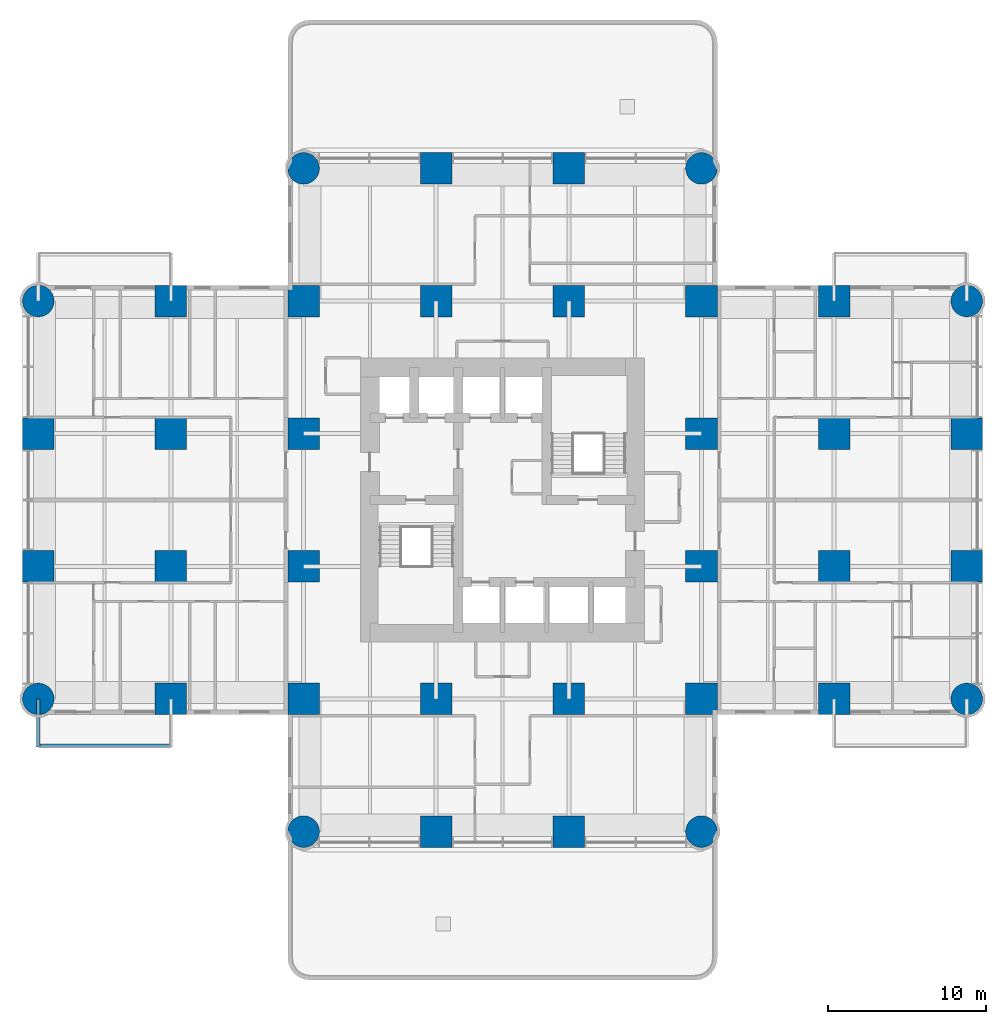
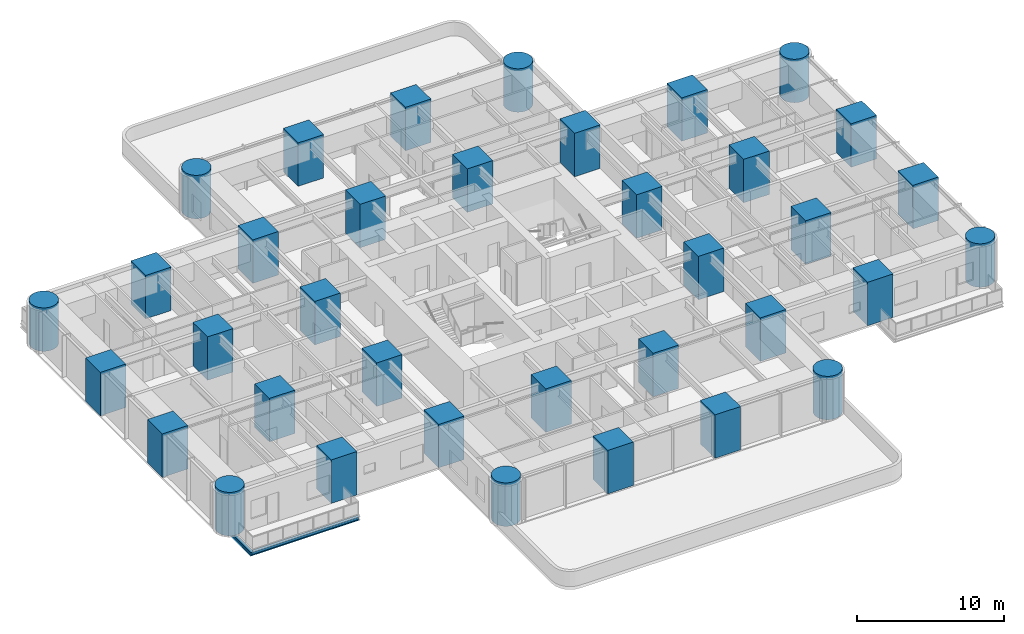
# One storey, part 1 of 14: 36 columns, 2 beams.
"""IFC4 building model written with IfcOpenShell, lengths in metres."""

from ifc_helpers import new_model, si_unit, direction, frame, origin, origin_2d, place, context, subcontext, project, spatial, rectangle, circle, i_section, extrude, material, material_profile, profile_set, type_object, element, save


model = new_model("IFC4")

# Units and contexts
model_context = context("Model", 3, precision=1e-05, world=origin(), true_north=direction((0.0, 1.0)))
body_context = subcontext(model_context, "Body", "Model", "MODEL_VIEW")
ifc_project = project(units=[si_unit("LENGTHUNIT", "METRE"), si_unit("AREAUNIT", "SQUARE_METRE"), si_unit("VOLUMEUNIT", "CUBIC_METRE"), si_unit("PLANEANGLEUNIT", "RADIAN"), si_unit("MASSUNIT", "GRAM", prefix="KILO")], contexts=[model_context])

# Site, building, storey
site_placement = place(None, origin())
site = spatial("IfcSite", under=ifc_project, at=site_placement, CompositionType="ELEMENT")
building_placement = place(site_placement, origin())
building = spatial("IfcBuilding", under=site, at=building_placement, Name="Torre Alcanfor", CompositionType="ELEMENT")
storey_placement = place(building_placement, frame((0.0, 0.0, 108.89990234375)))
storey = spatial("IfcBuildingStorey", under=building, at=storey_placement, Name="L27", CompositionType="ELEMENT", Elevation=108.89990234375)

# Columns
ifc_material_1 = material(Name="Concrete f'c 70 MPa", Category="concrete")
ifc_material_profile_1 = material_profile(ifc_material_1, rectangle(XDim=2.0, YDim=2.0, at=origin_2d()), Name="2000x2000")
ifc_profile_set_1 = profile_set([ifc_material_profile_1], Name="Concrete f'c 70 MPa")
column_type_1 = type_object("IfcColumnType", Name="RC column 2000x2000 f'c70", PredefinedType="COLUMN", material=ifc_profile_set_1)
for number, where, z_axis, x_axis, name in (
    (1, (0.0, 25.199951171875, 0.0), (0.0, 0.0, 1.0), (1.0, 0.0, 0.0), "Column 1/F L27"),
    (2, (0.0, 33.60009765625, 0.0), (0.0, 0.0, 1.0), (1.0, 0.0, 0.0), "Column 1/G L27"),
    (3, (8.39990234375, 16.800048828125, 0.0), (0.0, 0.0, 1.0), (1.0, 0.0, 0.0), "Column 2/E L27"),
    (4, (8.39990234375, 25.199951171875, 0.0), (0.0, 0.0, 1.0), (1.0, 0.0, 0.0), "Column 2/F L27"),
    (5, (8.39990234375, 33.60009765625, 0.0), (0.0, 0.0, 1.0), (1.0, 0.0, 0.0), "Column 2/G L27"),
    (6, (8.39990234375, 42.0, 0.0), (0.0, 0.0, 1.0), (1.0, 0.0, 0.0), "Column 2/H L27"),
    (7, (16.800048828125, 16.800048828125, 0.0), (0.0, 0.0, 1.0), (1.0, 0.0, 0.0), "Column 3/E L27"),
    (8, (16.800048828125, 25.199951171875, 0.0), (0.0, 0.0, 1.0), (1.0, 0.0, 0.0), "Column 3/F L27"),
    (9, (16.800048828125, 33.60009765625, 0.0), (0.0, 0.0, 1.0), (1.0, 0.0, 0.0), "Column 3/G L27"),
    (10, (16.800048828125, 42.0, 0.0), (0.0, 0.0, 1.0), (1.0, 0.0, 0.0), "Column 3/H L27"),
    (11, (25.199951171875, 8.39990234375, 0.0), (0.0, 0.0, 1.0), (1.0, 0.0, 0.0), "Column 4/D L27"),
    (12, (25.199951171875, 16.800048828125, 0.0), (0.0, 0.0, 1.0), (1.0, 0.0, 0.0), "Column 4/E L27"),
    (13, (25.199951171875, 42.0, 0.0), (0.0, 0.0, 1.0), (1.0, 0.0, 0.0), "Column 4/H L27"),
    (14, (25.199951171875, 50.39990234375, 0.0), (0.0, 0.0, 1.0), (1.0, 0.0, 0.0), "Column 4/J L27"),
    (15, (33.60009765625, 8.39990234375, 0.0), (0.0, 0.0, 1.0), (1.0, 0.0, 0.0), "Column 5/D L27"),
    (16, (33.60009765625, 16.800048828125, 0.0), (0.0, 0.0, 1.0), (1.0, 0.0, 0.0), "Column 5/E L27"),
    (17, (33.60009765625, 42.0, 0.0), (0.0, 0.0, 1.0), (1.0, 0.0, 0.0), "Column 5/H L27"),
    (18, (33.60009765625, 50.39990234375, 0.0), (0.0, 0.0, 1.0), (1.0, 0.0, 0.0), "Column 5/J L27"),
    (19, (42.0, 16.800048828125, 0.0), (0.0, 0.0, 1.0), (1.0, 0.0, 0.0), "Column 6/E L27"),
    (20, (42.0, 25.199951171875, 0.0), (0.0, 0.0, 1.0), (1.0, 0.0, 0.0), "Column 6/F L27"),
    (21, (42.0, 33.60009765625, 0.0), (0.0, 0.0, 1.0), (1.0, 0.0, 0.0), "Column 6/G L27"),
    (22, (42.0, 42.0, 0.0), (0.0, 0.0, 1.0), (1.0, 0.0, 0.0), "Column 6/H L27"),
    (23, (50.39990234375, 16.800048828125, 0.0), (0.0, 0.0, 1.0), (1.0, 0.0, 0.0), "Column 7/E L27"),
    (24, (50.39990234375, 25.199951171875, 0.0), (0.0, 0.0, 1.0), (1.0, 0.0, 0.0), "Column 7/F L27"),
    (25, (50.39990234375, 33.60009765625, 0.0), (0.0, 0.0, 1.0), (1.0, 0.0, 0.0), "Column 7/G L27"),
    (26, (50.39990234375, 42.0, 0.0), (0.0, 0.0, 1.0), (1.0, 0.0, 0.0), "Column 7/H L27"),
    (27, (58.800048828125, 25.199951171875, 0.0), (0.0, 0.0, 1.0), (1.0, 0.0, 0.0), "Column 8/F L27"),
    (28, (58.800048828125, 33.60009765625, 0.0), (0.0, 0.0, 1.0), (1.0, 0.0, 0.0), "Column 8/G L27"),
):
    element("IfcColumn", number, at=place(storey_placement, frame(where, z_axis=z_axis, x_axis=x_axis)), inside=storey, type_object=column_type_1, Name=name, PredefinedType="COLUMN", context=body_context, shape_type="SweptSolid", body=[
        extrude(rectangle(XDim=2.0, YDim=2.0, at=origin_2d()), origin(), (0.0, 0.0, 1.0), 3.60009765625),
    ])
ifc_material_2 = material(Name="Concrete f'c 70 MPa", Category="concrete")
ifc_material_profile_2 = material_profile(ifc_material_2, circle(Radius=1.0, at=origin_2d()), Name="D2000")
ifc_profile_set_2 = profile_set([ifc_material_profile_2], Name="Concrete f'c 70 MPa")
column_type_2 = type_object("IfcColumnType", Name="RC column D2000 f'c70", PredefinedType="COLUMN", material=ifc_profile_set_2)
for number, where, z_axis, x_axis, name in (
    (29, (0.0, 16.800048828125, 0.0), (0.0, 0.0, 1.0), (1.0, 0.0, 0.0), "Column 1/E L27"),
    (30, (0.0, 42.0, 0.0), (0.0, 0.0, 1.0), (1.0, 0.0, 0.0), "Column 1/H L27"),
    (31, (16.800048828125, 8.39990234375, 0.0), (0.0, 0.0, 1.0), (1.0, 0.0, 0.0), "Column 3/D L27"),
    (32, (16.800048828125, 50.39990234375, 0.0), (0.0, 0.0, 1.0), (1.0, 0.0, 0.0), "Column 3/J L27"),
    (33, (42.0, 8.39990234375, 0.0), (0.0, 0.0, 1.0), (1.0, 0.0, 0.0), "Column 6/D L27"),
    (34, (42.0, 50.39990234375, 0.0), (0.0, 0.0, 1.0), (1.0, 0.0, 0.0), "Column 6/J L27"),
    (35, (58.800048828125, 16.800048828125, 0.0), (0.0, 0.0, 1.0), (1.0, 0.0, 0.0), "Column 8/E L27"),
    (36, (58.800048828125, 42.0, 0.0), (0.0, 0.0, 1.0), (1.0, 0.0, 0.0), "Column 8/H L27"),
):
    element("IfcColumn", number, at=place(storey_placement, frame(where, z_axis=z_axis, x_axis=x_axis)), inside=storey, type_object=column_type_2, Name=name, PredefinedType="COLUMN", context=body_context, shape_type="SweptSolid", body=[
        extrude(circle(Radius=1.0, at=origin_2d()), origin(), (0.0, 0.0, 1.0), 3.60009765625),
    ])

# Beams
ifc_material_3 = material(Name="Steel ASTM A992 Grade 50", Category="steel")
ifc_material_profile_3 = material_profile(ifc_material_3, i_section(OverallWidth=0.205322265625, OverallDepth=0.309814453125, WebThickness=0.00927734375, FlangeThickness=0.016357421875, at=origin_2d()), Name="W12x50")
ifc_profile_set_3 = profile_set([ifc_material_profile_3], Name="Steel ASTM A992 Grade 50")
beam_type_1 = type_object("IfcBeamType", Name="Balcony cantilever beam W12x50", PredefinedType="BEAM", material=ifc_profile_set_3)
beam_1_placement = place(storey_placement, frame((0.0, 16.800048828125, -0.354736328125), z_axis=(0.0, -1.0, 0.0), x_axis=(1.0, 0.0, 0.0)))
element("IfcBeam", 37, at=beam_1_placement, inside=storey, type_object=beam_type_1, Name="Balcony cantilever beam L27-W1 2", PredefinedType="BEAM", context=body_context, shape_type="SweptSolid", body=[
    extrude(i_section(OverallWidth=0.205322265625, OverallDepth=0.309814453125, WebThickness=0.00927734375, FlangeThickness=0.016357421875, at=origin_2d()), origin(), (0.0, 0.0, 1.0), 3.050048828125),
])
ifc_material_4 = material(Name="Steel ASTM A992 Grade 50", Category="steel")
ifc_material_profile_4 = material_profile(ifc_material_4, i_section(OverallWidth=0.203369140625, OverallDepth=0.30224609375, WebThickness=0.007568359375, FlangeThickness=0.01318359375, at=origin_2d()), Name="W12x40")
ifc_profile_set_4 = profile_set([ifc_material_profile_4], Name="Steel ASTM A992 Grade 50")
beam_type_2 = type_object("IfcBeamType", Name="Balcony edge trimmer W12x40", PredefinedType="BEAM", material=ifc_profile_set_4)
beam_2_placement = place(storey_placement, frame((8.39990234375, 13.851806640625, -0.35107421875), z_axis=(-1.0, 0.0, 0.0), x_axis=(0.0, -1.0, 0.0)))
element("IfcBeam", 38, at=beam_2_placement, inside=storey, type_object=beam_type_2, Name="Balcony edge trimmer L27-W1", PredefinedType="BEAM", context=body_context, shape_type="SweptSolid", body=[
    extrude(i_section(OverallWidth=0.203369140625, OverallDepth=0.30224609375, WebThickness=0.007568359375, FlangeThickness=0.01318359375, at=origin_2d()), origin(), (0.0, 0.0, 1.0), 8.39990234375),
])

save(model, "model.ifc")
